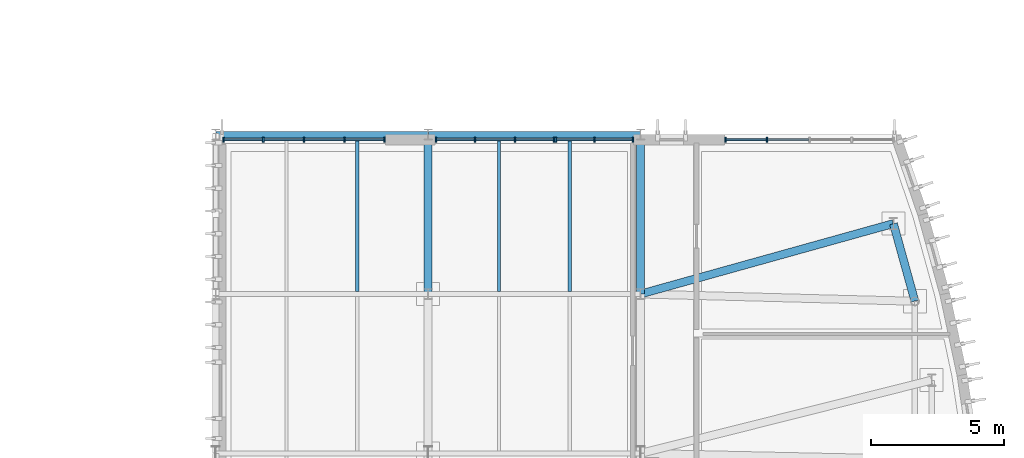
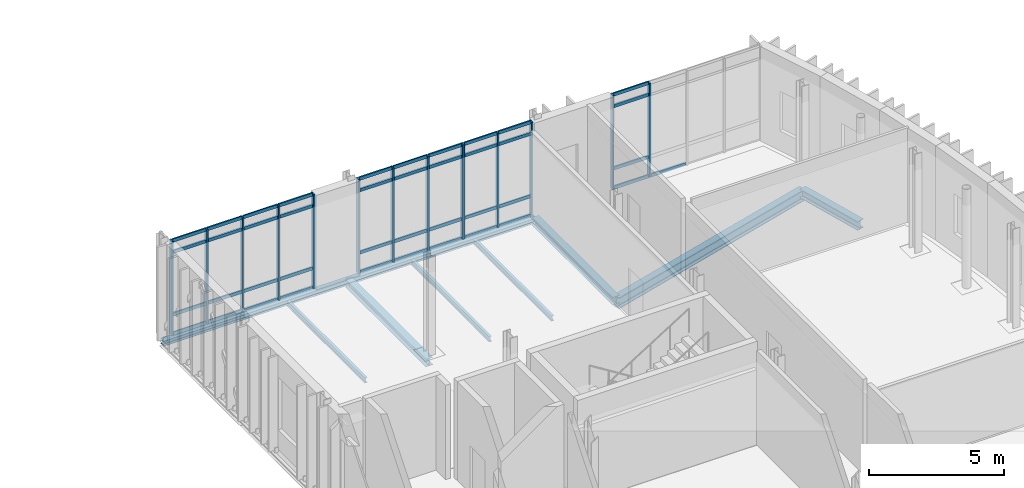
# One storey, part 27 of 62: 55 members, 9 beams, 4 elements without a shape of their own.
"""IFC4 building model written with IfcOpenShell, lengths in metres."""

from ifc_helpers import new_model, si_unit, direction, frame, origin, origin_2d, place, context, subcontext, project, spatial, rectangle, i_section, extrude, material, material_profile, profile_set, type_object, element, aggregate, save


model = new_model("IFC4")

# Units and contexts
model_context = context("Model", 3, precision=1e-05, world=origin(), true_north=direction((0.0, 1.0)))
body_context = subcontext(model_context, "Body", "Model", "MODEL_VIEW")
ifc_project = project(units=[si_unit("LENGTHUNIT", "METRE"), si_unit("AREAUNIT", "SQUARE_METRE"), si_unit("VOLUMEUNIT", "CUBIC_METRE"), si_unit("PLANEANGLEUNIT", "RADIAN"), si_unit("MASSUNIT", "GRAM", prefix="KILO")], contexts=[model_context])

# Site, building, storey
site_placement = place(None, origin())
site = spatial("IfcSite", under=ifc_project, at=site_placement, CompositionType="ELEMENT")
building_placement = place(site_placement, origin())
building = spatial("IfcBuilding", under=site, at=building_placement, Name="Cymarion Research Institute", CompositionType="ELEMENT")
storey_placement = place(building_placement, frame((0.0, 0.0, 18.300048828125)))
storey = spatial("IfcBuildingStorey", under=building, at=storey_placement, Name="L04", CompositionType="ELEMENT", Elevation=18.300048828125)

# Curtain wall, members
ifc_material_1 = material(Name="Anodised aluminium unitised curtain wall with Low-E glazing", Category="aluminium")
curtain_wall_type_1 = type_object("IfcCurtainWallType", Name="UNITISED CURTAIN WALL CW36 6390X4280", PredefinedType="NOTDEFINED", material=ifc_material_1)
curtain_wall_1_placement = place(storey_placement, origin())
curtain_wall_1 = element("IfcCurtainWall", 1, at=curtain_wall_1_placement, inside=storey, type_object=curtain_wall_type_1, Name="L04 V1 unitised curtain wall CW36 #173", PredefinedType="NOTDEFINED")
ifc_material_2 = material(Name="Anodised aluminium framing", Category="aluminium")
ifc_material_profile_1 = material_profile(ifc_material_2, rectangle(XDim=0.06005859375, YDim=0.179931640625, at=origin_2d()), Name="ALU MULLION 60x180")
ifc_profile_set_1 = profile_set([ifc_material_profile_1], Name="Anodised aluminium framing")
member_type_1 = type_object("IfcMemberType", Name="CURTAIN WALL MULLION ML01 60X180", PredefinedType="MULLION", material=ifc_profile_set_1)
member_1_placement = place(storey_placement, frame((159.3564453125, 41.31005859375, 0.0), z_axis=(0.0, 0.0, 1.0), x_axis=(-1.0, 0.0, 0.0)))
member_1 = element("IfcMember", 2, at=member_1_placement, type_object=member_type_1, Name="CW36 mullion 4", PredefinedType="MULLION", context=body_context, shape_type="SweptSolid", body=[
    extrude(rectangle(XDim=0.06005859375, YDim=0.179931640625, at=origin_2d()), origin(), (0.0, 0.0, 1.0), 4.280029296875),
])
member_2_placement = place(storey_placement, frame((157.789794921875, 41.31005859375, 0.0), z_axis=(0.0, 0.0, 1.0), x_axis=(-1.0, 0.0, 0.0)))
member_2 = element("IfcMember", 3, at=member_2_placement, type_object=member_type_1, Name="CW36 mullion 5", PredefinedType="MULLION", context=body_context, shape_type="SweptSolid", body=[
    extrude(rectangle(XDim=0.06005859375, YDim=0.179931640625, at=origin_2d()), origin(), (0.0, 0.0, 1.0), 4.280029296875),
])

curtain_wall_type_2 = type_object("IfcCurtainWallType", Name="UNITISED CURTAIN WALL CW37 2970X4280", PredefinedType="NOTDEFINED", material=ifc_material_1)
curtain_wall_2_placement = place(storey_placement, origin())
curtain_wall_2 = element("IfcCurtainWall", 4, at=curtain_wall_2_placement, inside=storey, type_object=curtain_wall_type_2, Name="L04 V1 unitised curtain wall CW37 #174", PredefinedType="NOTDEFINED")
member_3_placement = place(storey_placement, frame((154.31005859375, 41.31005859375, 0.0), z_axis=(0.0, 0.0, 1.0), x_axis=(-1.0, 0.0, 0.0)))
member_3 = element("IfcMember", 5, at=member_3_placement, type_object=member_type_1, Name="CW37 mullion 1", PredefinedType="MULLION", context=body_context, shape_type="SweptSolid", body=[
    extrude(rectangle(XDim=0.06005859375, YDim=0.179931640625, at=origin_2d()), origin(), (0.0, 0.0, 1.0), 4.280029296875),
])
member_4_placement = place(storey_placement, frame((152.856689453125, 41.31005859375, 0.0), z_axis=(0.0, 0.0, 1.0), x_axis=(-1.0, 0.0, 0.0)))
member_4 = element("IfcMember", 6, at=member_4_placement, type_object=member_type_1, Name="CW37 mullion 2", PredefinedType="MULLION", context=body_context, shape_type="SweptSolid", body=[
    extrude(rectangle(XDim=0.06005859375, YDim=0.179931640625, at=origin_2d()), origin(), (0.0, 0.0, 1.0), 4.280029296875),
])
member_5_placement = place(storey_placement, frame((151.4033203125, 41.31005859375, 0.0), z_axis=(0.0, 0.0, 1.0), x_axis=(-1.0, 0.0, 0.0)))
member_5 = element("IfcMember", 7, at=member_5_placement, type_object=member_type_1, Name="CW37 mullion 3", PredefinedType="MULLION", context=body_context, shape_type="SweptSolid", body=[
    extrude(rectangle(XDim=0.06005859375, YDim=0.179931640625, at=origin_2d()), origin(), (0.0, 0.0, 1.0), 4.280029296875),
])

curtain_wall_type_3 = type_object("IfcCurtainWallType", Name="UNITISED CURTAIN WALL CW38 4510X4280", PredefinedType="NOTDEFINED", material=ifc_material_1)
curtain_wall_3_placement = place(storey_placement, origin())
curtain_wall_3 = element("IfcCurtainWall", 8, at=curtain_wall_3_placement, inside=storey, type_object=curtain_wall_type_3, Name="L04 V1 unitised curtain wall CW38 #175", PredefinedType="NOTDEFINED")
member_6_placement = place(storey_placement, frame((151.34326171875, 41.31005859375, 0.0), z_axis=(0.0, 0.0, 1.0), x_axis=(-1.0, 0.0, 0.0)))
member_6 = element("IfcMember", 9, at=member_6_placement, type_object=member_type_1, Name="CW38 mullion 1", PredefinedType="MULLION", context=body_context, shape_type="SweptSolid", body=[
    extrude(rectangle(XDim=0.06005859375, YDim=0.179931640625, at=origin_2d()), origin(), (0.0, 0.0, 1.0), 4.280029296875),
])
member_7_placement = place(storey_placement, frame((149.868896484375, 41.31005859375, 0.0), z_axis=(0.0, 0.0, 1.0), x_axis=(-1.0, 0.0, 0.0)))
member_7 = element("IfcMember", 10, at=member_7_placement, type_object=member_type_1, Name="CW38 mullion 2", PredefinedType="MULLION", context=body_context, shape_type="SweptSolid", body=[
    extrude(rectangle(XDim=0.06005859375, YDim=0.179931640625, at=origin_2d()), origin(), (0.0, 0.0, 1.0), 4.280029296875),
])
member_8_placement = place(storey_placement, frame((148.364501953125, 41.31005859375, 0.0), z_axis=(0.0, 0.0, 1.0), x_axis=(-1.0, 0.0, 0.0)))
member_8 = element("IfcMember", 11, at=member_8_placement, type_object=member_type_1, Name="CW38 mullion 3", PredefinedType="MULLION", context=body_context, shape_type="SweptSolid", body=[
    extrude(rectangle(XDim=0.06005859375, YDim=0.179931640625, at=origin_2d()), origin(), (0.0, 0.0, 1.0), 4.280029296875),
])
member_9_placement = place(storey_placement, frame((146.889892578125, 41.31005859375, 0.0), z_axis=(0.0, 0.0, 1.0), x_axis=(-1.0, 0.0, 0.0)))
member_9 = element("IfcMember", 12, at=member_9_placement, type_object=member_type_1, Name="CW38 mullion 4", PredefinedType="MULLION", context=body_context, shape_type="SweptSolid", body=[
    extrude(rectangle(XDim=0.06005859375, YDim=0.179931640625, at=origin_2d()), origin(), (0.0, 0.0, 1.0), 4.280029296875),
])

curtain_wall_type_4 = type_object("IfcCurtainWallType", Name="UNITISED CURTAIN WALL CW39 6130X4280", PredefinedType="NOTDEFINED", material=ifc_material_1)
curtain_wall_4_placement = place(storey_placement, origin())
curtain_wall_4 = element("IfcCurtainWall", 13, at=curtain_wall_4_placement, inside=storey, type_object=curtain_wall_type_4, Name="L04 V1 unitised curtain wall CW39 #176", PredefinedType="NOTDEFINED")
member_10_placement = place(storey_placement, frame((144.95654296875, 41.31005859375, 0.0), z_axis=(0.0, 0.0, 1.0), x_axis=(-1.0, 0.0, 0.0)))
member_10 = element("IfcMember", 14, at=member_10_placement, type_object=member_type_1, Name="CW39 mullion 1", PredefinedType="MULLION", context=body_context, shape_type="SweptSolid", body=[
    extrude(rectangle(XDim=0.06005859375, YDim=0.179931640625, at=origin_2d()), origin(), (0.0, 0.0, 1.0), 4.280029296875),
])
member_11_placement = place(storey_placement, frame((143.454833984375, 41.31005859375, 0.0), z_axis=(0.0, 0.0, 1.0), x_axis=(-1.0, 0.0, 0.0)))
member_11 = element("IfcMember", 15, at=member_11_placement, type_object=member_type_1, Name="CW39 mullion 2", PredefinedType="MULLION", context=body_context, shape_type="SweptSolid", body=[
    extrude(rectangle(XDim=0.06005859375, YDim=0.179931640625, at=origin_2d()), origin(), (0.0, 0.0, 1.0), 4.280029296875),
])
member_12_placement = place(storey_placement, frame((141.92333984375, 41.31005859375, 0.0), z_axis=(0.0, 0.0, 1.0), x_axis=(-1.0, 0.0, 0.0)))
member_12 = element("IfcMember", 16, at=member_12_placement, type_object=member_type_1, Name="CW39 mullion 3", PredefinedType="MULLION", context=body_context, shape_type="SweptSolid", body=[
    extrude(rectangle(XDim=0.06005859375, YDim=0.179931640625, at=origin_2d()), origin(), (0.0, 0.0, 1.0), 4.280029296875),
])
member_13_placement = place(storey_placement, frame((140.3916015625, 41.31005859375, 0.0), z_axis=(0.0, 0.0, 1.0), x_axis=(-1.0, 0.0, 0.0)))
member_13 = element("IfcMember", 17, at=member_13_placement, type_object=member_type_1, Name="CW39 mullion 4", PredefinedType="MULLION", context=body_context, shape_type="SweptSolid", body=[
    extrude(rectangle(XDim=0.06005859375, YDim=0.179931640625, at=origin_2d()), origin(), (0.0, 0.0, 1.0), 4.280029296875),
])
member_14_placement = place(storey_placement, frame((138.889892578125, 41.31005859375, 0.0), z_axis=(0.0, 0.0, 1.0), x_axis=(-1.0, 0.0, 0.0)))
member_14 = element("IfcMember", 18, at=member_14_placement, type_object=member_type_1, Name="CW39 mullion 5", PredefinedType="MULLION", context=body_context, shape_type="SweptSolid", body=[
    extrude(rectangle(XDim=0.06005859375, YDim=0.179931640625, at=origin_2d()), origin(), (0.0, 0.0, 1.0), 4.280029296875),
])

# Member
ifc_material_profile_2 = material_profile(ifc_material_2, rectangle(XDim=0.06005859375, YDim=0.14990234375, at=origin_2d()), Name="ALU TRANSOM 60x150")
ifc_profile_set_2 = profile_set([ifc_material_profile_2], Name="Anodised aluminium framing")
member_type_2 = type_object("IfcMemberType", Name="CURTAIN WALL TRANSOM TR01 60X150", PredefinedType="USERDEFINED", material=ifc_profile_set_2)
member_15_placement = place(storey_placement, frame((160.923095703125, 41.31005859375, 0.030029296875), z_axis=(-1.0, 0.0, 0.0), x_axis=(0.0, -1.0, 0.0)))
member_15 = element("IfcMember", 19, at=member_15_placement, type_object=member_type_2, Name="CW36 transom 3.1", ObjectType="TRANSOM", PredefinedType="USERDEFINED", context=body_context, shape_type="SweptSolid", body=[
    extrude(rectangle(XDim=0.06005859375, YDim=0.14990234375, at=origin_2d()), origin(), (0.0, 0.0, 1.0), 1.53662109375),
])

member_16_placement = place(storey_placement, frame((159.326416015625, 41.31005859375, 0.030029296875), z_axis=(-1.0, 0.0, 0.0), x_axis=(0.0, -1.0, 0.0)))
member_16 = element("IfcMember", 20, at=member_16_placement, type_object=member_type_2, Name="CW36 transom 4.1", ObjectType="TRANSOM", PredefinedType="USERDEFINED", context=body_context, shape_type="SweptSolid", body=[
    extrude(rectangle(XDim=0.06005859375, YDim=0.14990234375, at=origin_2d()), origin(), (0.0, 0.0, 1.0), 1.506591796875),
])

member_17_placement = place(storey_placement, frame((159.326416015625, 41.31005859375, 0.89990234375), z_axis=(-1.0, 0.0, 0.0), x_axis=(0.0, -1.0, 0.0)))
member_17 = element("IfcMember", 21, at=member_17_placement, type_object=member_type_2, Name="CW36 transom 4.2", ObjectType="TRANSOM", PredefinedType="USERDEFINED", context=body_context, shape_type="SweptSolid", body=[
    extrude(rectangle(XDim=0.06005859375, YDim=0.14990234375, at=origin_2d()), origin(), (0.0, 0.0, 1.0), 1.506591796875),
])

member_18_placement = place(storey_placement, frame((159.326416015625, 41.31005859375, 3.72998046875), z_axis=(-1.0, 0.0, 0.0), x_axis=(0.0, -1.0, 0.0)))
member_18 = element("IfcMember", 22, at=member_18_placement, type_object=member_type_2, Name="CW36 transom 4.3", ObjectType="TRANSOM", PredefinedType="USERDEFINED", context=body_context, shape_type="SweptSolid", body=[
    extrude(rectangle(XDim=0.06005859375, YDim=0.14990234375, at=origin_2d()), origin(), (0.0, 0.0, 1.0), 1.506591796875),
])

member_19_placement = place(storey_placement, frame((159.326416015625, 41.31005859375, 4.25), z_axis=(-1.0, 0.0, 0.0), x_axis=(0.0, -1.0, 0.0)))
member_19 = element("IfcMember", 23, at=member_19_placement, type_object=member_type_2, Name="CW36 transom 4.4", ObjectType="TRANSOM", PredefinedType="USERDEFINED", context=body_context, shape_type="SweptSolid", body=[
    extrude(rectangle(XDim=0.06005859375, YDim=0.14990234375, at=origin_2d()), origin(), (0.0, 0.0, 1.0), 1.506591796875),
])

aggregate(curtain_wall_1, [member_1, member_2, member_15, member_16, member_17, member_18, member_19])

member_20_placement = place(storey_placement, frame((154.280029296875, 41.31005859375, 0.030029296875), z_axis=(-1.0, 0.0, 0.0), x_axis=(0.0, -1.0, 0.0)))
member_20 = element("IfcMember", 24, at=member_20_placement, type_object=member_type_2, Name="CW37 transom 1.1", ObjectType="TRANSOM", PredefinedType="USERDEFINED", context=body_context, shape_type="SweptSolid", body=[
    extrude(rectangle(XDim=0.06005859375, YDim=0.14990234375, at=origin_2d()), origin(), (0.0, 0.0, 1.0), 1.393310546875),
])

member_21_placement = place(storey_placement, frame((154.280029296875, 41.31005859375, 0.89990234375), z_axis=(-1.0, 0.0, 0.0), x_axis=(0.0, -1.0, 0.0)))
member_21 = element("IfcMember", 25, at=member_21_placement, type_object=member_type_2, Name="CW37 transom 1.2", ObjectType="TRANSOM", PredefinedType="USERDEFINED", context=body_context, shape_type="SweptSolid", body=[
    extrude(rectangle(XDim=0.06005859375, YDim=0.14990234375, at=origin_2d()), origin(), (0.0, 0.0, 1.0), 1.393310546875),
])

member_22_placement = place(storey_placement, frame((154.280029296875, 41.31005859375, 3.72998046875), z_axis=(-1.0, 0.0, 0.0), x_axis=(0.0, -1.0, 0.0)))
member_22 = element("IfcMember", 26, at=member_22_placement, type_object=member_type_2, Name="CW37 transom 1.3", ObjectType="TRANSOM", PredefinedType="USERDEFINED", context=body_context, shape_type="SweptSolid", body=[
    extrude(rectangle(XDim=0.06005859375, YDim=0.14990234375, at=origin_2d()), origin(), (0.0, 0.0, 1.0), 1.393310546875),
])

member_23_placement = place(storey_placement, frame((154.280029296875, 41.31005859375, 4.25), z_axis=(-1.0, 0.0, 0.0), x_axis=(0.0, -1.0, 0.0)))
member_23 = element("IfcMember", 27, at=member_23_placement, type_object=member_type_2, Name="CW37 transom 1.4", ObjectType="TRANSOM", PredefinedType="USERDEFINED", context=body_context, shape_type="SweptSolid", body=[
    extrude(rectangle(XDim=0.06005859375, YDim=0.14990234375, at=origin_2d()), origin(), (0.0, 0.0, 1.0), 1.393310546875),
])

member_24_placement = place(storey_placement, frame((152.82666015625, 41.31005859375, 0.030029296875), z_axis=(-1.0, 0.0, 0.0), x_axis=(0.0, -1.0, 0.0)))
member_24 = element("IfcMember", 28, at=member_24_placement, type_object=member_type_2, Name="CW37 transom 2.1", ObjectType="TRANSOM", PredefinedType="USERDEFINED", context=body_context, shape_type="SweptSolid", body=[
    extrude(rectangle(XDim=0.06005859375, YDim=0.14990234375, at=origin_2d()), origin(), (0.0, 0.0, 1.0), 1.3935546875),
])

member_25_placement = place(storey_placement, frame((152.82666015625, 41.31005859375, 0.89990234375), z_axis=(-1.0, 0.0, 0.0), x_axis=(0.0, -1.0, 0.0)))
member_25 = element("IfcMember", 29, at=member_25_placement, type_object=member_type_2, Name="CW37 transom 2.2", ObjectType="TRANSOM", PredefinedType="USERDEFINED", context=body_context, shape_type="SweptSolid", body=[
    extrude(rectangle(XDim=0.06005859375, YDim=0.14990234375, at=origin_2d()), origin(), (0.0, 0.0, 1.0), 1.3935546875),
])

member_26_placement = place(storey_placement, frame((152.82666015625, 41.31005859375, 3.72998046875), z_axis=(-1.0, 0.0, 0.0), x_axis=(0.0, -1.0, 0.0)))
member_26 = element("IfcMember", 30, at=member_26_placement, type_object=member_type_2, Name="CW37 transom 2.3", ObjectType="TRANSOM", PredefinedType="USERDEFINED", context=body_context, shape_type="SweptSolid", body=[
    extrude(rectangle(XDim=0.06005859375, YDim=0.14990234375, at=origin_2d()), origin(), (0.0, 0.0, 1.0), 1.3935546875),
])

member_27_placement = place(storey_placement, frame((152.82666015625, 41.31005859375, 4.25), z_axis=(-1.0, 0.0, 0.0), x_axis=(0.0, -1.0, 0.0)))
member_27 = element("IfcMember", 31, at=member_27_placement, type_object=member_type_2, Name="CW37 transom 2.4", ObjectType="TRANSOM", PredefinedType="USERDEFINED", context=body_context, shape_type="SweptSolid", body=[
    extrude(rectangle(XDim=0.06005859375, YDim=0.14990234375, at=origin_2d()), origin(), (0.0, 0.0, 1.0), 1.3935546875),
])

aggregate(curtain_wall_2, [member_3, member_4, member_5, member_20, member_21, member_22, member_23, member_24, member_25, member_26, member_27])

member_28_placement = place(storey_placement, frame((151.313232421875, 41.31005859375, 0.030029296875), z_axis=(-1.0, 0.0, 0.0), x_axis=(0.0, -1.0, 0.0)))
member_28 = element("IfcMember", 32, at=member_28_placement, type_object=member_type_2, Name="CW38 transom 1.1", ObjectType="TRANSOM", PredefinedType="USERDEFINED", context=body_context, shape_type="SweptSolid", body=[
    extrude(rectangle(XDim=0.06005859375, YDim=0.14990234375, at=origin_2d()), origin(), (0.0, 0.0, 1.0), 1.41455078125),
])

member_29_placement = place(storey_placement, frame((151.313232421875, 41.31005859375, 0.89990234375), z_axis=(-1.0, 0.0, 0.0), x_axis=(0.0, -1.0, 0.0)))
member_29 = element("IfcMember", 33, at=member_29_placement, type_object=member_type_2, Name="CW38 transom 1.2", ObjectType="TRANSOM", PredefinedType="USERDEFINED", context=body_context, shape_type="SweptSolid", body=[
    extrude(rectangle(XDim=0.06005859375, YDim=0.14990234375, at=origin_2d()), origin(), (0.0, 0.0, 1.0), 1.41455078125),
])

member_30_placement = place(storey_placement, frame((151.313232421875, 41.31005859375, 3.72998046875), z_axis=(-1.0, 0.0, 0.0), x_axis=(0.0, -1.0, 0.0)))
member_30 = element("IfcMember", 34, at=member_30_placement, type_object=member_type_2, Name="CW38 transom 1.3", ObjectType="TRANSOM", PredefinedType="USERDEFINED", context=body_context, shape_type="SweptSolid", body=[
    extrude(rectangle(XDim=0.06005859375, YDim=0.14990234375, at=origin_2d()), origin(), (0.0, 0.0, 1.0), 1.41455078125),
])

member_31_placement = place(storey_placement, frame((151.313232421875, 41.31005859375, 4.25), z_axis=(-1.0, 0.0, 0.0), x_axis=(0.0, -1.0, 0.0)))
member_31 = element("IfcMember", 35, at=member_31_placement, type_object=member_type_2, Name="CW38 transom 1.4", ObjectType="TRANSOM", PredefinedType="USERDEFINED", context=body_context, shape_type="SweptSolid", body=[
    extrude(rectangle(XDim=0.06005859375, YDim=0.14990234375, at=origin_2d()), origin(), (0.0, 0.0, 1.0), 1.41455078125),
])

member_32_placement = place(storey_placement, frame((149.8388671875, 41.31005859375, 0.030029296875), z_axis=(-1.0, 0.0, 0.0), x_axis=(0.0, -1.0, 0.0)))
member_32 = element("IfcMember", 36, at=member_32_placement, type_object=member_type_2, Name="CW38 transom 2.1", ObjectType="TRANSOM", PredefinedType="USERDEFINED", context=body_context, shape_type="SweptSolid", body=[
    extrude(rectangle(XDim=0.06005859375, YDim=0.14990234375, at=origin_2d()), origin(), (0.0, 0.0, 1.0), 1.444580078125),
])

member_33_placement = place(storey_placement, frame((149.8388671875, 41.31005859375, 0.89990234375), z_axis=(-1.0, 0.0, 0.0), x_axis=(0.0, -1.0, 0.0)))
member_33 = element("IfcMember", 37, at=member_33_placement, type_object=member_type_2, Name="CW38 transom 2.2", ObjectType="TRANSOM", PredefinedType="USERDEFINED", context=body_context, shape_type="SweptSolid", body=[
    extrude(rectangle(XDim=0.06005859375, YDim=0.14990234375, at=origin_2d()), origin(), (0.0, 0.0, 1.0), 1.444580078125),
])

member_34_placement = place(storey_placement, frame((149.8388671875, 41.31005859375, 3.72998046875), z_axis=(-1.0, 0.0, 0.0), x_axis=(0.0, -1.0, 0.0)))
member_34 = element("IfcMember", 38, at=member_34_placement, type_object=member_type_2, Name="CW38 transom 2.3", ObjectType="TRANSOM", PredefinedType="USERDEFINED", context=body_context, shape_type="SweptSolid", body=[
    extrude(rectangle(XDim=0.06005859375, YDim=0.14990234375, at=origin_2d()), origin(), (0.0, 0.0, 1.0), 1.444580078125),
])

member_35_placement = place(storey_placement, frame((149.8388671875, 41.31005859375, 4.25), z_axis=(-1.0, 0.0, 0.0), x_axis=(0.0, -1.0, 0.0)))
member_35 = element("IfcMember", 39, at=member_35_placement, type_object=member_type_2, Name="CW38 transom 2.4", ObjectType="TRANSOM", PredefinedType="USERDEFINED", context=body_context, shape_type="SweptSolid", body=[
    extrude(rectangle(XDim=0.06005859375, YDim=0.14990234375, at=origin_2d()), origin(), (0.0, 0.0, 1.0), 1.444580078125),
])

member_36_placement = place(storey_placement, frame((148.33447265625, 41.31005859375, 0.030029296875), z_axis=(-1.0, 0.0, 0.0), x_axis=(0.0, -1.0, 0.0)))
member_36 = element("IfcMember", 40, at=member_36_placement, type_object=member_type_2, Name="CW38 transom 3.1", ObjectType="TRANSOM", PredefinedType="USERDEFINED", context=body_context, shape_type="SweptSolid", body=[
    extrude(rectangle(XDim=0.06005859375, YDim=0.14990234375, at=origin_2d()), origin(), (0.0, 0.0, 1.0), 1.41455078125),
])

member_37_placement = place(storey_placement, frame((148.33447265625, 41.31005859375, 0.89990234375), z_axis=(-1.0, 0.0, 0.0), x_axis=(0.0, -1.0, 0.0)))
member_37 = element("IfcMember", 41, at=member_37_placement, type_object=member_type_2, Name="CW38 transom 3.2", ObjectType="TRANSOM", PredefinedType="USERDEFINED", context=body_context, shape_type="SweptSolid", body=[
    extrude(rectangle(XDim=0.06005859375, YDim=0.14990234375, at=origin_2d()), origin(), (0.0, 0.0, 1.0), 1.41455078125),
])

member_38_placement = place(storey_placement, frame((148.33447265625, 41.31005859375, 3.72998046875), z_axis=(-1.0, 0.0, 0.0), x_axis=(0.0, -1.0, 0.0)))
member_38 = element("IfcMember", 42, at=member_38_placement, type_object=member_type_2, Name="CW38 transom 3.3", ObjectType="TRANSOM", PredefinedType="USERDEFINED", context=body_context, shape_type="SweptSolid", body=[
    extrude(rectangle(XDim=0.06005859375, YDim=0.14990234375, at=origin_2d()), origin(), (0.0, 0.0, 1.0), 1.41455078125),
])

member_39_placement = place(storey_placement, frame((148.33447265625, 41.31005859375, 4.25), z_axis=(-1.0, 0.0, 0.0), x_axis=(0.0, -1.0, 0.0)))
member_39 = element("IfcMember", 43, at=member_39_placement, type_object=member_type_2, Name="CW38 transom 3.4", ObjectType="TRANSOM", PredefinedType="USERDEFINED", context=body_context, shape_type="SweptSolid", body=[
    extrude(rectangle(XDim=0.06005859375, YDim=0.14990234375, at=origin_2d()), origin(), (0.0, 0.0, 1.0), 1.41455078125),
])

aggregate(curtain_wall_3, [member_6, member_7, member_8, member_9, member_28, member_29, member_30, member_31, member_32, member_33, member_34, member_35, member_36, member_37, member_38, member_39])

member_40_placement = place(storey_placement, frame((144.926513671875, 41.31005859375, 0.030029296875), z_axis=(-1.0, 0.0, 0.0), x_axis=(0.0, -1.0, 0.0)))
member_40 = element("IfcMember", 44, at=member_40_placement, type_object=member_type_2, Name="CW39 transom 1.1", ObjectType="TRANSOM", PredefinedType="USERDEFINED", context=body_context, shape_type="SweptSolid", body=[
    extrude(rectangle(XDim=0.06005859375, YDim=0.14990234375, at=origin_2d()), origin(), (0.0, 0.0, 1.0), 1.441650390625),
])

member_41_placement = place(storey_placement, frame((144.926513671875, 41.31005859375, 0.89990234375), z_axis=(-1.0, 0.0, 0.0), x_axis=(0.0, -1.0, 0.0)))
member_41 = element("IfcMember", 45, at=member_41_placement, type_object=member_type_2, Name="CW39 transom 1.2", ObjectType="TRANSOM", PredefinedType="USERDEFINED", context=body_context, shape_type="SweptSolid", body=[
    extrude(rectangle(XDim=0.06005859375, YDim=0.14990234375, at=origin_2d()), origin(), (0.0, 0.0, 1.0), 1.441650390625),
])

member_42_placement = place(storey_placement, frame((144.926513671875, 41.31005859375, 3.72998046875), z_axis=(-1.0, 0.0, 0.0), x_axis=(0.0, -1.0, 0.0)))
member_42 = element("IfcMember", 46, at=member_42_placement, type_object=member_type_2, Name="CW39 transom 1.3", ObjectType="TRANSOM", PredefinedType="USERDEFINED", context=body_context, shape_type="SweptSolid", body=[
    extrude(rectangle(XDim=0.06005859375, YDim=0.14990234375, at=origin_2d()), origin(), (0.0, 0.0, 1.0), 1.441650390625),
])

member_43_placement = place(storey_placement, frame((144.926513671875, 41.31005859375, 4.25), z_axis=(-1.0, 0.0, 0.0), x_axis=(0.0, -1.0, 0.0)))
member_43 = element("IfcMember", 47, at=member_43_placement, type_object=member_type_2, Name="CW39 transom 1.4", ObjectType="TRANSOM", PredefinedType="USERDEFINED", context=body_context, shape_type="SweptSolid", body=[
    extrude(rectangle(XDim=0.06005859375, YDim=0.14990234375, at=origin_2d()), origin(), (0.0, 0.0, 1.0), 1.441650390625),
])

member_44_placement = place(storey_placement, frame((143.425048828125, 41.31005859375, 0.030029296875), z_axis=(-1.0, 0.0, 0.0), x_axis=(0.0, -1.0, 0.0)))
member_44 = element("IfcMember", 48, at=member_44_placement, type_object=member_type_2, Name="CW39 transom 2.1", ObjectType="TRANSOM", PredefinedType="USERDEFINED", context=body_context, shape_type="SweptSolid", body=[
    extrude(rectangle(XDim=0.06005859375, YDim=0.14990234375, at=origin_2d()), origin(), (0.0, 0.0, 1.0), 1.4716796875),
])

member_45_placement = place(storey_placement, frame((143.425048828125, 41.31005859375, 0.89990234375), z_axis=(-1.0, 0.0, 0.0), x_axis=(0.0, -1.0, 0.0)))
member_45 = element("IfcMember", 49, at=member_45_placement, type_object=member_type_2, Name="CW39 transom 2.2", ObjectType="TRANSOM", PredefinedType="USERDEFINED", context=body_context, shape_type="SweptSolid", body=[
    extrude(rectangle(XDim=0.06005859375, YDim=0.14990234375, at=origin_2d()), origin(), (0.0, 0.0, 1.0), 1.4716796875),
])

member_46_placement = place(storey_placement, frame((143.425048828125, 41.31005859375, 3.72998046875), z_axis=(-1.0, 0.0, 0.0), x_axis=(0.0, -1.0, 0.0)))
member_46 = element("IfcMember", 50, at=member_46_placement, type_object=member_type_2, Name="CW39 transom 2.3", ObjectType="TRANSOM", PredefinedType="USERDEFINED", context=body_context, shape_type="SweptSolid", body=[
    extrude(rectangle(XDim=0.06005859375, YDim=0.14990234375, at=origin_2d()), origin(), (0.0, 0.0, 1.0), 1.4716796875),
])

member_47_placement = place(storey_placement, frame((143.425048828125, 41.31005859375, 4.25), z_axis=(-1.0, 0.0, 0.0), x_axis=(0.0, -1.0, 0.0)))
member_47 = element("IfcMember", 51, at=member_47_placement, type_object=member_type_2, Name="CW39 transom 2.4", ObjectType="TRANSOM", PredefinedType="USERDEFINED", context=body_context, shape_type="SweptSolid", body=[
    extrude(rectangle(XDim=0.06005859375, YDim=0.14990234375, at=origin_2d()), origin(), (0.0, 0.0, 1.0), 1.4716796875),
])

member_48_placement = place(storey_placement, frame((141.893310546875, 41.31005859375, 0.030029296875), z_axis=(-1.0, 0.0, 0.0), x_axis=(0.0, -1.0, 0.0)))
member_48 = element("IfcMember", 52, at=member_48_placement, type_object=member_type_2, Name="CW39 transom 3.1", ObjectType="TRANSOM", PredefinedType="USERDEFINED", context=body_context, shape_type="SweptSolid", body=[
    extrude(rectangle(XDim=0.06005859375, YDim=0.14990234375, at=origin_2d()), origin(), (0.0, 0.0, 1.0), 1.4716796875),
])

member_49_placement = place(storey_placement, frame((141.893310546875, 41.31005859375, 0.89990234375), z_axis=(-1.0, 0.0, 0.0), x_axis=(0.0, -1.0, 0.0)))
member_49 = element("IfcMember", 53, at=member_49_placement, type_object=member_type_2, Name="CW39 transom 3.2", ObjectType="TRANSOM", PredefinedType="USERDEFINED", context=body_context, shape_type="SweptSolid", body=[
    extrude(rectangle(XDim=0.06005859375, YDim=0.14990234375, at=origin_2d()), origin(), (0.0, 0.0, 1.0), 1.4716796875),
])

member_50_placement = place(storey_placement, frame((141.893310546875, 41.31005859375, 3.72998046875), z_axis=(-1.0, 0.0, 0.0), x_axis=(0.0, -1.0, 0.0)))
member_50 = element("IfcMember", 54, at=member_50_placement, type_object=member_type_2, Name="CW39 transom 3.3", ObjectType="TRANSOM", PredefinedType="USERDEFINED", context=body_context, shape_type="SweptSolid", body=[
    extrude(rectangle(XDim=0.06005859375, YDim=0.14990234375, at=origin_2d()), origin(), (0.0, 0.0, 1.0), 1.4716796875),
])

member_51_placement = place(storey_placement, frame((141.893310546875, 41.31005859375, 4.25), z_axis=(-1.0, 0.0, 0.0), x_axis=(0.0, -1.0, 0.0)))
member_51 = element("IfcMember", 55, at=member_51_placement, type_object=member_type_2, Name="CW39 transom 3.4", ObjectType="TRANSOM", PredefinedType="USERDEFINED", context=body_context, shape_type="SweptSolid", body=[
    extrude(rectangle(XDim=0.06005859375, YDim=0.14990234375, at=origin_2d()), origin(), (0.0, 0.0, 1.0), 1.4716796875),
])

member_52_placement = place(storey_placement, frame((140.361572265625, 41.31005859375, 0.030029296875), z_axis=(-1.0, 0.0, 0.0), x_axis=(0.0, -1.0, 0.0)))
member_52 = element("IfcMember", 56, at=member_52_placement, type_object=member_type_2, Name="CW39 transom 4.1", ObjectType="TRANSOM", PredefinedType="USERDEFINED", context=body_context, shape_type="SweptSolid", body=[
    extrude(rectangle(XDim=0.06005859375, YDim=0.14990234375, at=origin_2d()), origin(), (0.0, 0.0, 1.0), 1.441650390625),
])

member_53_placement = place(storey_placement, frame((140.361572265625, 41.31005859375, 0.89990234375), z_axis=(-1.0, 0.0, 0.0), x_axis=(0.0, -1.0, 0.0)))
member_53 = element("IfcMember", 57, at=member_53_placement, type_object=member_type_2, Name="CW39 transom 4.2", ObjectType="TRANSOM", PredefinedType="USERDEFINED", context=body_context, shape_type="SweptSolid", body=[
    extrude(rectangle(XDim=0.06005859375, YDim=0.14990234375, at=origin_2d()), origin(), (0.0, 0.0, 1.0), 1.441650390625),
])

member_54_placement = place(storey_placement, frame((140.361572265625, 41.31005859375, 3.72998046875), z_axis=(-1.0, 0.0, 0.0), x_axis=(0.0, -1.0, 0.0)))
member_54 = element("IfcMember", 58, at=member_54_placement, type_object=member_type_2, Name="CW39 transom 4.3", ObjectType="TRANSOM", PredefinedType="USERDEFINED", context=body_context, shape_type="SweptSolid", body=[
    extrude(rectangle(XDim=0.06005859375, YDim=0.14990234375, at=origin_2d()), origin(), (0.0, 0.0, 1.0), 1.441650390625),
])

member_55_placement = place(storey_placement, frame((140.361572265625, 41.31005859375, 4.25), z_axis=(-1.0, 0.0, 0.0), x_axis=(0.0, -1.0, 0.0)))
member_55 = element("IfcMember", 59, at=member_55_placement, type_object=member_type_2, Name="CW39 transom 4.4", ObjectType="TRANSOM", PredefinedType="USERDEFINED", context=body_context, shape_type="SweptSolid", body=[
    extrude(rectangle(XDim=0.06005859375, YDim=0.14990234375, at=origin_2d()), origin(), (0.0, 0.0, 1.0), 1.441650390625),
])

aggregate(curtain_wall_4, [member_10, member_11, member_12, member_13, member_14, member_40, member_41, member_42, member_43, member_44, member_45, member_46, member_47, member_48, member_49, member_50, member_51, member_52, member_53, member_54, member_55])

# Beams
ifc_material_3 = material(Name="Steel S355", Category="steel")
ifc_material_profile_3 = material_profile(ifc_material_3, i_section(OverallWidth=0.300048828125, OverallDepth=0.5, WebThickness=0.014404296875, FlangeThickness=0.028076171875, FilletRadius=0.027099609375, at=origin_2d()), Name="HEB 500")
ifc_profile_set_3 = profile_set([ifc_material_profile_3], Name="Steel S355")
beam_type_1 = type_object("IfcBeamType", Name="PRIMARY GIRDER BM09 HEB 500", PredefinedType="BEAM", material=ifc_profile_set_3)
beam_1_placement = place(storey_placement, frame((154.607666015625, 35.502197265625, -0.5), z_axis=(0.963288176514, 0.26846953084, 0.0), x_axis=(-0.26846953084, 0.963288176514, 0.0)))
element("IfcBeam", 60, at=beam_1_placement, inside=storey, type_object=beam_type_1, Name="L04 V1 radial prow girder BM09 #1664", PredefinedType="BEAM", context=body_context, shape_type="SweptSolid", body=[
    extrude(i_section(OverallWidth=0.300048828125, OverallDepth=0.5, WebThickness=0.014404296875, FlangeThickness=0.028076171875, FilletRadius=0.027099609375, at=origin_2d()), origin(), (0.0, 0.0, 1.0), 9.865966796875),
])
ifc_material_profile_4 = material_profile(ifc_material_3, i_section(OverallWidth=0.300048828125, OverallDepth=0.39990234375, WebThickness=0.013427734375, FlangeThickness=0.02392578125, FilletRadius=0.027099609375, at=origin_2d()), Name="HEB 400")
ifc_profile_set_4 = profile_set([ifc_material_profile_4], Name="Steel S355")
beam_type_2 = type_object("IfcBeamType", Name="PRIMARY GIRDER BM11 HEB 400", PredefinedType="BEAM", material=ifc_profile_set_4)
beam_2_placement = place(storey_placement, frame((164.92578125, 35.235107421875, -0.449951171875), z_axis=(-0.266509343606, 0.963832334885, 0.0), x_axis=(-0.963832334885, -0.266509343606, 0.0)))
element("IfcBeam", 61, at=beam_2_placement, inside=storey, type_object=beam_type_2, Name="L04 V1 prow ring girder BM11 #1654", PredefinedType="BEAM", context=body_context, shape_type="SweptSolid", body=[
    extrude(i_section(OverallWidth=0.300048828125, OverallDepth=0.39990234375, WebThickness=0.013427734375, FlangeThickness=0.02392578125, FilletRadius=0.027099609375, at=origin_2d()), origin(), (0.0, 0.0, 1.0), 3.019287109375),
])
ifc_material_profile_5 = material_profile(ifc_material_3, i_section(OverallWidth=0.300048828125, OverallDepth=0.35009765625, WebThickness=0.010009765625, FlangeThickness=0.017578125, FilletRadius=0.027099609375, at=origin_2d()), Name="HEA 360")
ifc_profile_set_5 = profile_set([ifc_material_profile_5], Name="Steel S355")
beam_type_3 = type_object("IfcBeamType", Name="PRIMARY GIRDER BM12 HEA 360", PredefinedType="BEAM", material=ifc_profile_set_5)
for number, where, z_axis, x_axis, name in (
    (62, (146.60009765625, 35.506103515625, -0.425048828125), (0.0, 1.0, 0.0), (-1.0, 0.0, 0.0), "L04 V1 girder BM12 #1642"),
    (63, (154.60009765625, 35.506103515625, -0.425048828125), (0.0, 1.0, 0.0), (-1.0, 0.0, 0.0), "L04 V1 girder BM12 #1647"),
):
    element("IfcBeam", number, at=place(storey_placement, frame(where, z_axis=z_axis, x_axis=x_axis)), inside=storey, type_object=beam_type_3, Name=name, PredefinedType="BEAM", context=body_context, shape_type="SweptSolid", body=[
        extrude(i_section(OverallWidth=0.300048828125, OverallDepth=0.35009765625, WebThickness=0.010009765625, FlangeThickness=0.017578125, FilletRadius=0.027099609375, at=origin_2d()), origin(), (0.0, 0.0, 1.0), 5.98779296875),
    ])
ifc_material_profile_6 = material_profile(ifc_material_3, i_section(OverallWidth=0.1201171875, OverallDepth=0.239990234375, WebThickness=0.006103515625, FlangeThickness=0.009765625, FilletRadius=0.014892578125, at=origin_2d()), Name="IPE 240")
ifc_profile_set_6 = profile_set([ifc_material_profile_6], Name="Steel S355")
beam_type_4 = type_object("IfcBeamType", Name="SECONDARY JOIST JS04 IPE 240", PredefinedType="JOIST", material=ifc_profile_set_6)
for number, where, z_axis, x_axis, name in (
    (64, (143.933349609375, 35.593994140625, -0.3701171875), (0.0, 1.0, 0.0), (-1.0, 0.0, 0.0), "L04 V1 secondary joist JS04 #1699"),
    (65, (149.2666015625, 35.593994140625, -0.3701171875), (0.0, 1.0, 0.0), (-1.0, 0.0, 0.0), "L04 V1 secondary joist JS04 #1700"),
    (66, (151.933349609375, 35.593994140625, -0.3701171875), (0.0, 1.0, 0.0), (-1.0, 0.0, 0.0), "L04 V1 secondary joist JS04 #1701"),
):
    element("IfcBeam", number, at=place(storey_placement, frame(where, z_axis=z_axis, x_axis=x_axis)), inside=storey, type_object=beam_type_4, Name=name, PredefinedType="JOIST", context=body_context, shape_type="SweptSolid", body=[
        extrude(i_section(OverallWidth=0.1201171875, OverallDepth=0.239990234375, WebThickness=0.006103515625, FlangeThickness=0.009765625, FilletRadius=0.014892578125, at=origin_2d()), origin(), (0.0, 0.0, 1.0), 5.781982421875),
    ])
ifc_material_profile_7 = material_profile(ifc_material_3, i_section(OverallWidth=0.239990234375, OverallDepth=0.22998046875, WebThickness=0.007568359375, FlangeThickness=0.011962890625, FilletRadius=0.02099609375, at=origin_2d()), Name="HEA 240")
ifc_profile_set_7 = profile_set([ifc_material_profile_7], Name="Steel S355")
beam_type_5 = type_object("IfcBeamType", Name="SPANDREL BEAM SPB03 HEA 240", PredefinedType="SPANDREL", material=ifc_profile_set_7)
for number, where, z_axis, x_axis, name in (
    (67, (138.60595703125, 41.5, -0.364990234375), (1.0, 0.0, 0.0), (0.0, 1.0, 0.0), "L04 V1 girder SPB03 #1618"),
    (68, (146.60595703125, 41.5, -0.364990234375), (1.0, 0.0, 0.0), (0.0, 1.0, 0.0), "L04 V1 girder SPB03 #1619"),
):
    element("IfcBeam", number, at=place(storey_placement, frame(where, z_axis=z_axis, x_axis=x_axis)), inside=storey, type_object=beam_type_5, Name=name, PredefinedType="SPANDREL", context=body_context, shape_type="SweptSolid", body=[
        extrude(i_section(OverallWidth=0.239990234375, OverallDepth=0.22998046875, WebThickness=0.007568359375, FlangeThickness=0.011962890625, FilletRadius=0.02099609375, at=origin_2d()), origin(), (0.0, 0.0, 1.0), 7.988037109375),
    ])

save(model, "model.ifc")
